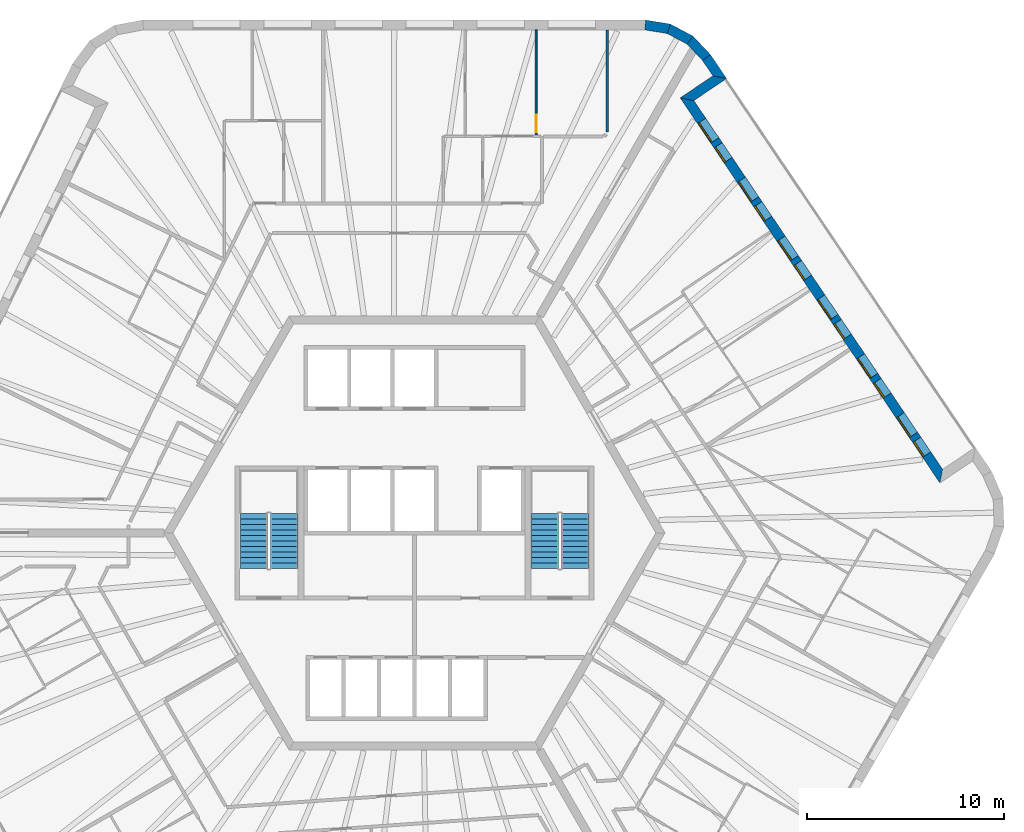
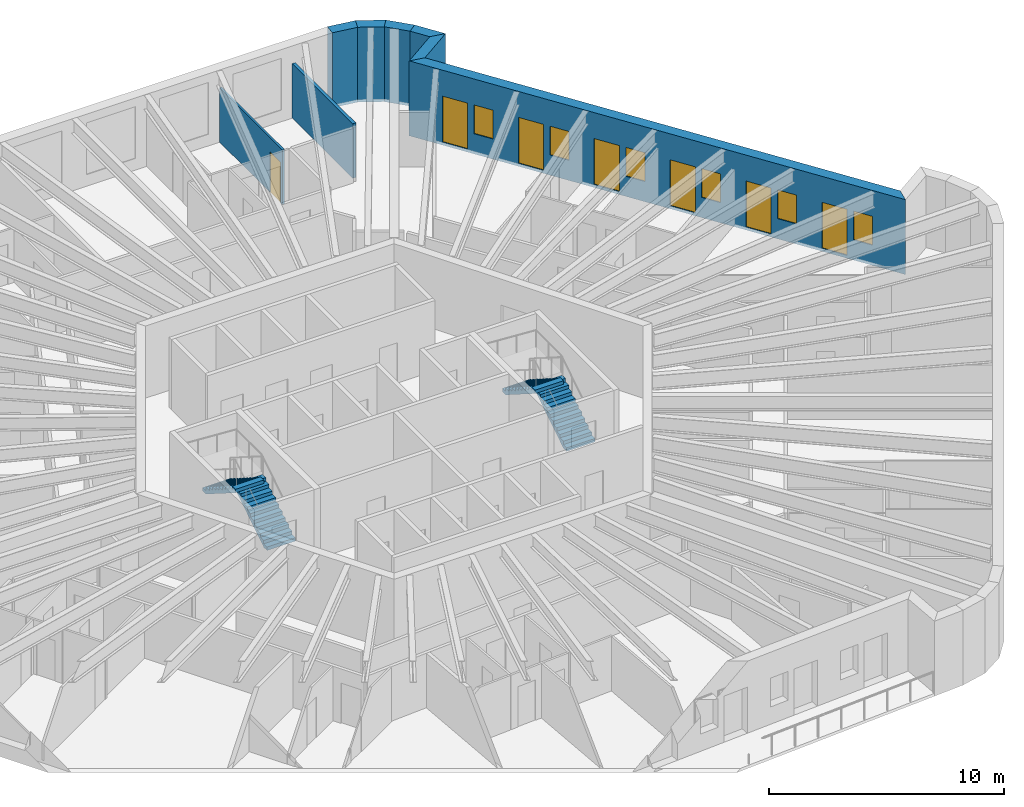
# One storey, part 11 of 12: 8 walls, 7 doors, 6 windows, 4 stair flights, 13 openings, 2 elements without a shape of their own.
"""IFC4 building model written with IfcOpenShell, lengths in metres."""

from ifc_helpers import new_model, si_unit, direction, frame, frame_2d, origin, place, context, subcontext, project, spatial, polyline, rectangle, outline, extrude, material, layer, layer_set, type_object, element, fill, aggregate, save


model = new_model("IFC4")

# Units and contexts
model_context = context("Model", 3, precision=1e-05, world=origin(), true_north=direction((0.0, 1.0)))
body_context = subcontext(model_context, "Body", "Model", "MODEL_VIEW")
ifc_project = project(units=[si_unit("LENGTHUNIT", "METRE"), si_unit("AREAUNIT", "SQUARE_METRE"), si_unit("VOLUMEUNIT", "CUBIC_METRE"), si_unit("PLANEANGLEUNIT", "RADIAN"), si_unit("MASSUNIT", "GRAM", prefix="KILO")], contexts=[model_context])

# Site, building, storey
site_placement = place(None, origin())
site = spatial("IfcSite", under=ifc_project, at=site_placement, CompositionType="ELEMENT")
building_placement = place(site_placement, origin())
building = spatial("IfcBuilding", under=site, at=building_placement, Name="Tarnside Tower", CompositionType="ELEMENT")
storey_placement = place(building_placement, frame((0.0, 0.0, 330.300048828125)))
storey = spatial("IfcBuildingStorey", under=building, at=storey_placement, Name="L80", CompositionType="ELEMENT", Elevation=330.300048828125)

# Wall
ifc_material_1 = material(Name="Gypsum board partition on steel studs", Category="steel")
ifc_layer_1 = layer(ifc_material_1, 0.14990234375)
ifc_layer_set_1 = layer_set([ifc_layer_1], Name="Corridor wall 150 EI 60")
wall_type_1 = type_object("IfcWallType", Name="Corridor wall 150 EI 60", PredefinedType="PARTITIONING", material=ifc_layer_set_1)
wall_1_placement = place(storey_placement, frame((9.775146484375, 25.5, 0.0), z_axis=(0.0, 0.0, 1.0), x_axis=(0.0, -1.0, 0.0)))
element("IfcWall", 1, at=wall_1_placement, inside=storey, type_object=wall_type_1, Name="Corridor wall 26005", PredefinedType="PARTITIONING", context=body_context, shape_type="SweptSolid", body=[
    extrude(rectangle(XDim=5.1689453125, YDim=0.14990234375, at=frame_2d((2.58447265625, 0.0))), origin(), (0.0, 0.0, 1.0), 2.837646484375),
])

# Wall, openings, doors, windows
ifc_material_2 = material(Name="Dark zinc cladding")
ifc_layer_2 = layer(ifc_material_2, 0.10205078125)
ifc_material_3 = material(Name="Concrete C60/75 precast", Category="concrete")
ifc_layer_3 = layer(ifc_material_3, 0.298095703125)
ifc_material_4 = material(Name="Mineral wool insulation")
ifc_layer_4 = layer(ifc_material_4, 0.10009765625)
ifc_layer_set_2 = layer_set([ifc_layer_2, ifc_layer_3, ifc_layer_4], Name="Loggia wall 500 zinc faced")
wall_type_2 = type_object("IfcWallType", Name="Loggia wall 500 zinc faced", PredefinedType="SOLIDWALL", material=ifc_layer_set_2)
wall_2_placement = place(storey_placement, frame((26.705810546875, 2.87890625, -0.150146484375), z_axis=(0.0, 0.0, 1.0), x_axis=(-0.559197891507, 0.829034208061, 0.0)))
wall_2 = element("IfcWall", 2, at=wall_2_placement, inside=storey, type_object=wall_type_2, Name="Tube wall L80 F6 back 30", PredefinedType="SOLIDWALL", context=body_context, shape_type="SweptSolid", body=[
    extrude(outline(polyline([(0.25, -0.25), (22.794677734375, -0.25), (23.294677734375, 0.25), (-0.25, 0.25), (0.25, -0.25)])), origin(), (0.0, 0.0, 1.0), 3.900146484375),
])
opening_1_placement = place(wall_2_placement, frame((1.322509765625, 0.0, 1.050048828125)))
opening_1 = element("IfcOpeningElement", 3, at=opening_1_placement, cuts=wall_2, Name="Opening WL500", PredefinedType="OPENING", context=body_context, shape_type="SweptSolid", body=[
    extrude(rectangle(XDim=0.89990234375, YDim=1.5, at=frame_2d((0.449951171875, 0.75))), frame((0.0, 0.260009765625, 0.0), z_axis=(0.0, -1.0, 0.0), x_axis=(1.0, 0.0, 0.0)), (0.0, 0.0, 1.0), 0.52001953125),
])
opening_2_placement = place(wall_2_placement, frame((2.5224609375, 0.0, 0.14990234375)))
opening_2 = element("IfcOpeningElement", 4, at=opening_2_placement, cuts=wall_2, Name="Opening DB500", PredefinedType="OPENING", context=body_context, shape_type="SweptSolid", body=[
    extrude(rectangle(XDim=1.199951171875, YDim=2.39990234375, at=frame_2d((0.60009765625, 1.199951171875))), frame((0.0, 0.260009765625, 0.0), z_axis=(0.0, -1.0, 0.0), x_axis=(1.0, 0.0, 0.0)), (0.0, 0.0, 1.0), 0.52001953125),
])
opening_3_placement = place(wall_2_placement, frame((4.92236328125, 0.0, 1.050048828125)))
opening_3 = element("IfcOpeningElement", 5, at=opening_3_placement, cuts=wall_2, Name="Opening WL500", PredefinedType="OPENING", context=body_context, shape_type="SweptSolid", body=[
    extrude(rectangle(XDim=0.89990234375, YDim=1.5, at=frame_2d((0.449951171875, 0.75))), frame((0.0, 0.260009765625, 0.0), z_axis=(0.0, -1.0, 0.0), x_axis=(1.0, 0.0, 0.0)), (0.0, 0.0, 1.0), 0.52001953125),
])
opening_4_placement = place(wall_2_placement, frame((6.122314453125, 0.0, 0.14990234375)))
opening_4 = element("IfcOpeningElement", 6, at=opening_4_placement, cuts=wall_2, Name="Opening DB500", PredefinedType="OPENING", context=body_context, shape_type="SweptSolid", body=[
    extrude(rectangle(XDim=1.199951171875, YDim=2.39990234375, at=frame_2d((0.60009765625, 1.199951171875))), frame((0.0, 0.260009765625, 0.0), z_axis=(0.0, -1.0, 0.0), x_axis=(1.0, 0.0, 0.0)), (0.0, 0.0, 1.0), 0.52001953125),
])
opening_5_placement = place(wall_2_placement, frame((8.5224609375, 0.0, 1.050048828125)))
opening_5 = element("IfcOpeningElement", 7, at=opening_5_placement, cuts=wall_2, Name="Opening WL500", PredefinedType="OPENING", context=body_context, shape_type="SweptSolid", body=[
    extrude(rectangle(XDim=0.89990234375, YDim=1.5, at=frame_2d((0.449951171875, 0.75))), frame((0.0, 0.260009765625, 0.0), z_axis=(0.0, -1.0, 0.0), x_axis=(1.0, 0.0, 0.0)), (0.0, 0.0, 1.0), 0.52001953125),
])
opening_6_placement = place(wall_2_placement, frame((9.722412109375, 0.0, 0.14990234375)))
opening_6 = element("IfcOpeningElement", 8, at=opening_6_placement, cuts=wall_2, Name="Opening DB500", PredefinedType="OPENING", context=body_context, shape_type="SweptSolid", body=[
    extrude(rectangle(XDim=1.199951171875, YDim=2.39990234375, at=frame_2d((0.60009765625, 1.199951171875))), frame((0.0, 0.260009765625, 0.0), z_axis=(0.0, -1.0, 0.0), x_axis=(1.0, 0.0, 0.0)), (0.0, 0.0, 1.0), 0.52001953125),
])
opening_7_placement = place(wall_2_placement, frame((12.122314453125, 0.0, 1.050048828125)))
opening_7 = element("IfcOpeningElement", 9, at=opening_7_placement, cuts=wall_2, Name="Opening WL500", PredefinedType="OPENING", context=body_context, shape_type="SweptSolid", body=[
    extrude(rectangle(XDim=0.89990234375, YDim=1.5, at=frame_2d((0.449951171875, 0.75))), frame((0.0, 0.260009765625, 0.0), z_axis=(0.0, -1.0, 0.0), x_axis=(1.0, 0.0, 0.0)), (0.0, 0.0, 1.0), 0.52001953125),
])
opening_8_placement = place(wall_2_placement, frame((13.322509765625, 0.0, 0.14990234375)))
opening_8 = element("IfcOpeningElement", 10, at=opening_8_placement, cuts=wall_2, Name="Opening DB500", PredefinedType="OPENING", context=body_context, shape_type="SweptSolid", body=[
    extrude(rectangle(XDim=1.199951171875, YDim=2.39990234375, at=frame_2d((0.60009765625, 1.199951171875))), frame((0.0, 0.260009765625, 0.0), z_axis=(0.0, -1.0, 0.0), x_axis=(1.0, 0.0, 0.0)), (0.0, 0.0, 1.0), 0.52001953125),
])
opening_9_placement = place(wall_2_placement, frame((15.722412109375, 0.0, 1.050048828125)))
opening_9 = element("IfcOpeningElement", 11, at=opening_9_placement, cuts=wall_2, Name="Opening WL500", PredefinedType="OPENING", context=body_context, shape_type="SweptSolid", body=[
    extrude(rectangle(XDim=0.89990234375, YDim=1.5, at=frame_2d((0.449951171875, 0.75))), frame((0.0, 0.260009765625, 0.0), z_axis=(0.0, -1.0, 0.0), x_axis=(1.0, 0.0, 0.0)), (0.0, 0.0, 1.0), 0.52001953125),
])
opening_10_placement = place(wall_2_placement, frame((16.92236328125, 0.0, 0.14990234375)))
opening_10 = element("IfcOpeningElement", 12, at=opening_10_placement, cuts=wall_2, Name="Opening DB500", PredefinedType="OPENING", context=body_context, shape_type="SweptSolid", body=[
    extrude(rectangle(XDim=1.199951171875, YDim=2.39990234375, at=frame_2d((0.60009765625, 1.199951171875))), frame((0.0, 0.260009765625, 0.0), z_axis=(0.0, -1.0, 0.0), x_axis=(1.0, 0.0, 0.0)), (0.0, 0.0, 1.0), 0.52001953125),
])
opening_11_placement = place(wall_2_placement, frame((19.322509765625, 0.0, 1.050048828125)))
opening_11 = element("IfcOpeningElement", 13, at=opening_11_placement, cuts=wall_2, Name="Opening WL500", PredefinedType="OPENING", context=body_context, shape_type="SweptSolid", body=[
    extrude(rectangle(XDim=0.89990234375, YDim=1.5, at=frame_2d((0.449951171875, 0.75))), frame((0.0, 0.260009765625, 0.0), z_axis=(0.0, -1.0, 0.0), x_axis=(1.0, 0.0, 0.0)), (0.0, 0.0, 1.0), 0.52001953125),
])
opening_12_placement = place(wall_2_placement, frame((20.5224609375, 0.0, 0.14990234375)))
opening_12 = element("IfcOpeningElement", 14, at=opening_12_placement, cuts=wall_2, Name="Opening DB500", PredefinedType="OPENING", context=body_context, shape_type="SweptSolid", body=[
    extrude(rectangle(XDim=1.199951171875, YDim=2.39990234375, at=frame_2d((0.60009765625, 1.199951171875))), frame((0.0, 0.260009765625, 0.0), z_axis=(0.0, -1.0, 0.0), x_axis=(1.0, 0.0, 0.0)), (0.0, 0.0, 1.0), 0.52001953125),
])
ifc_material_5 = material(Name="Aluminium-framed double glazing", Category="aluminium")
door_type_1 = type_object("IfcDoorType", Name="Balcony sliding door 1200 x 2400 in 500 wall", OperationType="SLIDING_TO_LEFT", PredefinedType="DOOR", material=ifc_material_5)
door_1_placement = place(opening_2_placement, frame((0.0, 0.1748046875, 0.0)))
door_1 = element("IfcDoor", 15, at=door_1_placement, inside=storey, type_object=door_type_1, Name="E.BD.L80.F6.00", OperationType="SLIDING_TO_LEFT", OverallHeight=2.39990234375, OverallWidth=1.199951171875, PredefinedType="DOOR", context=body_context, shape_type="SweptSolid", body=[
    extrude(rectangle(XDim=1.199951171875, YDim=2.39990234375, at=frame_2d((0.60009765625, 1.199951171875))), frame((0.0, 0.02490234375, 0.0), z_axis=(0.0, -1.0, 0.0), x_axis=(1.0, 0.0, 0.0)), (0.0, 0.0, 1.0), 0.050048828125),
])
fill(opening_2, door_1)
door_2_placement = place(opening_4_placement, frame((0.0, 0.1748046875, 0.0)))
door_2 = element("IfcDoor", 16, at=door_2_placement, inside=storey, type_object=door_type_1, Name="E.BD.L80.F6.01", OperationType="SLIDING_TO_LEFT", OverallHeight=2.39990234375, OverallWidth=1.199951171875, PredefinedType="DOOR", context=body_context, shape_type="SweptSolid", body=[
    extrude(rectangle(XDim=1.199951171875, YDim=2.39990234375, at=frame_2d((0.60009765625, 1.199951171875))), frame((0.0, 0.02490234375, 0.0), z_axis=(0.0, -1.0, 0.0), x_axis=(1.0, 0.0, 0.0)), (0.0, 0.0, 1.0), 0.050048828125),
])
fill(opening_4, door_2)
door_3_placement = place(opening_6_placement, frame((0.0, 0.1748046875, 0.0)))
door_3 = element("IfcDoor", 17, at=door_3_placement, inside=storey, type_object=door_type_1, Name="E.BD.L80.F6.02", OperationType="SLIDING_TO_LEFT", OverallHeight=2.39990234375, OverallWidth=1.199951171875, PredefinedType="DOOR", context=body_context, shape_type="SweptSolid", body=[
    extrude(rectangle(XDim=1.199951171875, YDim=2.39990234375, at=frame_2d((0.60009765625, 1.199951171875))), frame((0.0, 0.02490234375, 0.0), z_axis=(0.0, -1.0, 0.0), x_axis=(1.0, 0.0, 0.0)), (0.0, 0.0, 1.0), 0.050048828125),
])
fill(opening_6, door_3)
door_4_placement = place(opening_8_placement, frame((0.0, 0.1748046875, 0.0)))
door_4 = element("IfcDoor", 18, at=door_4_placement, inside=storey, type_object=door_type_1, Name="E.BD.L80.F6.03", OperationType="SLIDING_TO_LEFT", OverallHeight=2.39990234375, OverallWidth=1.199951171875, PredefinedType="DOOR", context=body_context, shape_type="SweptSolid", body=[
    extrude(rectangle(XDim=1.199951171875, YDim=2.39990234375, at=frame_2d((0.60009765625, 1.199951171875))), frame((0.0, 0.02490234375, 0.0), z_axis=(0.0, -1.0, 0.0), x_axis=(1.0, 0.0, 0.0)), (0.0, 0.0, 1.0), 0.050048828125),
])
fill(opening_8, door_4)
door_5_placement = place(opening_10_placement, frame((0.0, 0.1748046875, 0.0)))
door_5 = element("IfcDoor", 19, at=door_5_placement, inside=storey, type_object=door_type_1, Name="E.BD.L80.F6.04", OperationType="SLIDING_TO_LEFT", OverallHeight=2.39990234375, OverallWidth=1.199951171875, PredefinedType="DOOR", context=body_context, shape_type="SweptSolid", body=[
    extrude(rectangle(XDim=1.199951171875, YDim=2.39990234375, at=frame_2d((0.60009765625, 1.199951171875))), frame((0.0, 0.02490234375, 0.0), z_axis=(0.0, -1.0, 0.0), x_axis=(1.0, 0.0, 0.0)), (0.0, 0.0, 1.0), 0.050048828125),
])
fill(opening_10, door_5)
door_6_placement = place(opening_12_placement, frame((0.0, 0.1748046875, 0.0)))
door_6 = element("IfcDoor", 20, at=door_6_placement, inside=storey, type_object=door_type_1, Name="E.BD.L80.F6.05", OperationType="SLIDING_TO_LEFT", OverallHeight=2.39990234375, OverallWidth=1.199951171875, PredefinedType="DOOR", context=body_context, shape_type="SweptSolid", body=[
    extrude(rectangle(XDim=1.199951171875, YDim=2.39990234375, at=frame_2d((0.60009765625, 1.199951171875))), frame((0.0, 0.02490234375, 0.0), z_axis=(0.0, -1.0, 0.0), x_axis=(1.0, 0.0, 0.0)), (0.0, 0.0, 1.0), 0.050048828125),
])
fill(opening_12, door_6)
window_type = type_object("IfcWindowType", Name="Loggia window 900 x 1500 in 500 wall", PartitioningType="SINGLE_PANEL", PredefinedType="WINDOW", material=ifc_material_5)
window_1_placement = place(opening_1_placement, frame((0.0, 0.179931640625, 0.0)))
window_1 = element("IfcWindow", 21, at=window_1_placement, inside=storey, type_object=window_type, Name="E.LW.L80.F6.00", OverallHeight=1.5, OverallWidth=0.89990234375, PartitioningType="SINGLE_PANEL", PredefinedType="WINDOW", context=body_context, shape_type="SweptSolid", body=[
    extrude(rectangle(XDim=0.89990234375, YDim=1.5, at=frame_2d((0.449951171875, 0.75))), frame((0.0, 0.030029296875, 0.0), z_axis=(0.0, -1.0, 0.0), x_axis=(1.0, 0.0, 0.0)), (0.0, 0.0, 1.0), 0.06005859375),
])
fill(opening_1, window_1)
window_2_placement = place(opening_3_placement, frame((0.0, 0.179931640625, 0.0)))
window_2 = element("IfcWindow", 22, at=window_2_placement, inside=storey, type_object=window_type, Name="E.LW.L80.F6.01", OverallHeight=1.5, OverallWidth=0.89990234375, PartitioningType="SINGLE_PANEL", PredefinedType="WINDOW", context=body_context, shape_type="SweptSolid", body=[
    extrude(rectangle(XDim=0.89990234375, YDim=1.5, at=frame_2d((0.449951171875, 0.75))), frame((0.0, 0.030029296875, 0.0), z_axis=(0.0, -1.0, 0.0), x_axis=(1.0, 0.0, 0.0)), (0.0, 0.0, 1.0), 0.06005859375),
])
fill(opening_3, window_2)
window_3_placement = place(opening_5_placement, frame((0.0, 0.179931640625, 0.0)))
window_3 = element("IfcWindow", 23, at=window_3_placement, inside=storey, type_object=window_type, Name="E.LW.L80.F6.02", OverallHeight=1.5, OverallWidth=0.89990234375, PartitioningType="SINGLE_PANEL", PredefinedType="WINDOW", context=body_context, shape_type="SweptSolid", body=[
    extrude(rectangle(XDim=0.89990234375, YDim=1.5, at=frame_2d((0.449951171875, 0.75))), frame((0.0, 0.030029296875, 0.0), z_axis=(0.0, -1.0, 0.0), x_axis=(1.0, 0.0, 0.0)), (0.0, 0.0, 1.0), 0.06005859375),
])
fill(opening_5, window_3)
window_4_placement = place(opening_7_placement, frame((0.0, 0.179931640625, 0.0)))
window_4 = element("IfcWindow", 24, at=window_4_placement, inside=storey, type_object=window_type, Name="E.LW.L80.F6.03", OverallHeight=1.5, OverallWidth=0.89990234375, PartitioningType="SINGLE_PANEL", PredefinedType="WINDOW", context=body_context, shape_type="SweptSolid", body=[
    extrude(rectangle(XDim=0.89990234375, YDim=1.5, at=frame_2d((0.449951171875, 0.75))), frame((0.0, 0.030029296875, 0.0), z_axis=(0.0, -1.0, 0.0), x_axis=(1.0, 0.0, 0.0)), (0.0, 0.0, 1.0), 0.06005859375),
])
fill(opening_7, window_4)
window_5_placement = place(opening_9_placement, frame((0.0, 0.179931640625, 0.0)))
window_5 = element("IfcWindow", 25, at=window_5_placement, inside=storey, type_object=window_type, Name="E.LW.L80.F6.04", OverallHeight=1.5, OverallWidth=0.89990234375, PartitioningType="SINGLE_PANEL", PredefinedType="WINDOW", context=body_context, shape_type="SweptSolid", body=[
    extrude(rectangle(XDim=0.89990234375, YDim=1.5, at=frame_2d((0.449951171875, 0.75))), frame((0.0, 0.030029296875, 0.0), z_axis=(0.0, -1.0, 0.0), x_axis=(1.0, 0.0, 0.0)), (0.0, 0.0, 1.0), 0.06005859375),
])
fill(opening_9, window_5)
window_6_placement = place(opening_11_placement, frame((0.0, 0.179931640625, 0.0)))
window_6 = element("IfcWindow", 26, at=window_6_placement, inside=storey, type_object=window_type, Name="E.LW.L80.F6.05", OverallHeight=1.5, OverallWidth=0.89990234375, PartitioningType="SINGLE_PANEL", PredefinedType="WINDOW", context=body_context, shape_type="SweptSolid", body=[
    extrude(rectangle(XDim=0.89990234375, YDim=1.5, at=frame_2d((0.449951171875, 0.75))), frame((0.0, 0.030029296875, 0.0), z_axis=(0.0, -1.0, 0.0), x_axis=(1.0, 0.0, 0.0)), (0.0, 0.0, 1.0), 0.06005859375),
])
fill(opening_11, window_6)

# Walls
wall_3_placement = place(storey_placement, frame((13.8193359375, 21.983642578125, -0.150146484375), z_axis=(0.0, 0.0, 1.0), x_axis=(0.829052389485, 0.559170935841, 0.0)))
element("IfcWall", 27, at=wall_3_placement, inside=storey, type_object=wall_type_2, Name="Tube wall L80 F6 return 31", PredefinedType="SOLIDWALL", context=body_context, shape_type="SweptSolid", body=[
    extrude(outline(polyline([(0.25, -0.25), (2.25, -0.25), (1.75, 0.25), (-0.25, 0.25), (0.25, -0.25)])), origin(), (0.0, 0.0, 1.0), 3.900146484375),
])
wall_4_placement = place(storey_placement, frame((15.4775390625, 23.10205078125, -0.150146484375), z_axis=(0.0, 0.0, 1.0), x_axis=(-0.559245726333, 0.829001940636, 0.0)))
element("IfcWall", 28, at=wall_4_placement, inside=storey, type_object=wall_type_2, Name="Tube wall L80 F6 stub 32", PredefinedType="SOLIDWALL", context=body_context, shape_type="SweptSolid", body=[
    extrude(outline(polyline([(-0.25, -0.25), (1.220703125, -0.25), (1.1796875, 0.25), (0.25, 0.25), (-0.25, -0.25)])), origin(), (0.0, 0.0, 1.0), 3.900146484375),
])

# Wall, opening, door
ifc_layer_5 = layer(ifc_material_1, 0.10009765625)
ifc_layer_set_3 = layer_set([ifc_layer_5], Name="Partition 100")
wall_type_3 = type_object("IfcWallType", Name="Partition 100", PredefinedType="PARTITIONING", material=ifc_layer_set_3)
wall_5_placement = place(storey_placement, frame((6.17529296875, 25.5, 0.0), z_axis=(0.0, 0.0, 1.0), x_axis=(0.0, -1.0, 0.0)))
wall_5 = element("IfcWall", 29, at=wall_5_placement, inside=storey, type_object=wall_type_3, Name="Partition wall 26093", PredefinedType="PARTITIONING", context=body_context, shape_type="SweptSolid", body=[
    extrude(rectangle(XDim=5.35009765625, YDim=0.10009765625, at=frame_2d((2.675048828125, 0.0))), origin(), (0.0, 0.0, 1.0), 2.837646484375),
])
opening_13_placement = place(wall_5_placement, frame((4.300048828125, 0.0, 0.0)))
opening_13 = element("IfcOpeningElement", 30, at=opening_13_placement, cuts=wall_5, Name="Opening D-I1", PredefinedType="OPENING", context=body_context, shape_type="SweptSolid", body=[
    extrude(rectangle(XDim=0.89990234375, YDim=2.10009765625, at=frame_2d((0.449951171875, 1.050048828125))), frame((0.0, 0.06005859375, 0.0), z_axis=(0.0, -1.0, 0.0), x_axis=(1.0, 0.0, 0.0)), (0.0, 0.0, 1.0), 0.1201171875),
])
ifc_material_6 = material(Name="Timber door leaf", Category="wood")
door_type_2 = type_object("IfcDoorType", Name="Internal door 900", OperationType="NOTDEFINED", PredefinedType="DOOR", material=ifc_material_6)
door_7_placement = place(opening_13_placement, origin())
door_7 = element("IfcDoor", 31, at=door_7_placement, inside=storey, type_object=door_type_2, Name="Internal door 26008", OperationType="SINGLE_SWING_RIGHT", OverallHeight=2.10009765625, OverallWidth=0.89990234375, PredefinedType="DOOR", context=body_context, shape_type="SweptSolid", body=[
    extrude(rectangle(XDim=0.89990234375, YDim=2.10009765625, at=frame_2d((0.449951171875, 1.050048828125))), frame((0.0, 0.02490234375, 0.0), z_axis=(0.0, -1.0, 0.0), x_axis=(1.0, 0.0, 0.0)), (0.0, 0.0, 1.0), 0.050048828125),
])
fill(opening_13, door_7)

# Walls
ifc_material_7 = material(Name="Facing brick", Category="masonry")
ifc_layer_6 = layer(ifc_material_7, 0.10205078125)
ifc_layer_7 = layer(ifc_material_3, 0.298095703125)
ifc_layer_8 = layer(ifc_material_4, 0.10009765625)
ifc_layer_set_4 = layer_set([ifc_layer_6, ifc_layer_7, ifc_layer_8], Name="Tube wall 500 brick faced")
wall_type_4 = type_object("IfcWallType", Name="Tube wall 500 brick faced", PredefinedType="SOLIDWALL", material=ifc_layer_set_4)
wall_6_placement = place(storey_placement, frame((14.806396484375, 24.096923828125, -0.150146484375), z_axis=(0.0, 0.0, 1.0), x_axis=(-0.686234452793, 0.727380420275, 0.0)))
element("IfcWall", 32, at=wall_6_placement, inside=storey, type_object=wall_type_4, Name="Tube wall L80 F6 chord 33", PredefinedType="SOLIDWALL", context=body_context, shape_type="SweptSolid", body=[
    extrude(outline(polyline([(-0.0205078125, -0.25), (1.25732421875, -0.25), (1.17529296875, 0.25), (0.0205078125, 0.25), (-0.0205078125, -0.25)])), origin(), (0.0, 0.0, 1.0), 3.900146484375),
])
wall_7_placement = place(storey_placement, frame((13.9716796875, 24.981689453125, -0.150146484375), z_axis=(0.0, 0.0, 1.0), x_axis=(-0.882902492938, 0.469556373575, 0.0)))
element("IfcWall", 33, at=wall_7_placement, inside=storey, type_object=wall_type_4, Name="Tube wall L80 F6 chord 34", PredefinedType="SOLIDWALL", context=body_context, shape_type="SweptSolid", body=[
    extrude(outline(polyline([(-0.041015625, -0.25), (1.257080078125, -0.25), (1.175048828125, 0.25), (0.041015625, 0.25), (-0.041015625, -0.25)])), origin(), (0.0, 0.0, 1.0), 3.900146484375),
])
wall_8_placement = place(storey_placement, frame((12.89794921875, 25.552734375, -0.150146484375), z_axis=(0.0, 0.0, 1.0), x_axis=(-0.986765617372, 0.16215306464, 0.0)))
element("IfcWall", 34, at=wall_8_placement, inside=storey, type_object=wall_type_4, Name="Tube wall L80 F6 chord 35", PredefinedType="SOLIDWALL", context=body_context, shape_type="SweptSolid", body=[
    extrude(outline(polyline([(-0.041015625, -0.25), (1.237060546875, -0.25), (1.196044921875, 0.25), (0.041015625, 0.25), (-0.041015625, -0.25)])), origin(), (0.0, 0.0, 1.0), 3.900146484375),
])

# Stair, stair flights
ifc_material_8 = material(Name="Concrete C40/50", Category="concrete")
stair_type = type_object("IfcStairType", Name="Exit stair 1400 clear", PredefinedType="HALF_TURN_STAIR", material=ifc_material_8)
stair_1_placement = place(storey_placement, origin())
stair_1 = element("IfcStair", 35, at=stair_1_placement, inside=storey, type_object=stair_type, Name="L80 Exit stair 1", PredefinedType="HALF_TURN_STAIR")
stair_flight_type = type_object("IfcStairFlightType", Name="Exit stair flight 1400", PredefinedType="STRAIGHT", material=ifc_material_8)
stair_flight_1_placement = place(storey_placement, frame((8.14990234375, -1.800048828125, 0.0), z_axis=(0.0, 0.0, 1.0), x_axis=(0.0, 1.0, 0.0)))
stair_flight_1 = element("IfcStairFlight", 36, at=stair_flight_1_placement, type_object=stair_flight_type, Name="ST1 flight 1", NumberOfRisers=11, NumberOfTreads=10, PredefinedType="STRAIGHT", RiserHeight=0.177272727, TreadLength=0.28, context=body_context, shape_type="SweptSolid", body=[
    extrude(outline(polyline([(0.0, 0.0), (0.0, 0.17724609375), (0.280029296875, 0.17724609375), (0.280029296875, 0.3544921875), (0.56005859375, 0.3544921875), (0.56005859375, 0.53173828125), (0.840087890625, 0.53173828125), (0.840087890625, 0.708984375), (1.1201171875, 0.708984375), (1.1201171875, 0.886474609375), (1.39990234375, 0.886474609375), (1.39990234375, 1.063720703125), (1.679931640625, 1.063720703125), (1.679931640625, 1.240966796875), (1.9599609375, 1.240966796875), (1.9599609375, 1.418212890625), (2.239990234375, 1.418212890625), (2.239990234375, 1.595458984375), (2.52001953125, 1.595458984375), (2.52001953125, 1.772705078125), (2.800048828125, 1.772705078125), (2.800048828125, 1.949951171875), (2.800048828125, 1.59521484375), (0.2802734375, 0.0), (0.0, 0.0)])), frame((0.0, 0.699951171875, 0.0), z_axis=(0.0, -1.0, 0.0), x_axis=(1.0, 0.0, 0.0)), (0.0, 0.0, 1.0), 1.39990234375),
])
stair_flight_2_placement = place(storey_placement, frame((6.60009765625, 1.0, 1.949951171875), z_axis=(0.0, 0.0, 1.0), x_axis=(0.0, -1.0, 0.0)))
stair_flight_2 = element("IfcStairFlight", 37, at=stair_flight_2_placement, type_object=stair_flight_type, Name="ST1 flight 2", NumberOfRisers=11, NumberOfTreads=10, PredefinedType="STRAIGHT", RiserHeight=0.177272727, TreadLength=0.28, context=body_context, shape_type="SweptSolid", body=[
    extrude(outline(polyline([(0.0, 0.0), (0.0, 0.17724609375), (0.280029296875, 0.17724609375), (0.280029296875, 0.3544921875), (0.56005859375, 0.3544921875), (0.56005859375, 0.53173828125), (0.840087890625, 0.53173828125), (0.840087890625, 0.708984375), (1.1201171875, 0.708984375), (1.1201171875, 0.886474609375), (1.39990234375, 0.886474609375), (1.39990234375, 1.063720703125), (1.679931640625, 1.063720703125), (1.679931640625, 1.240966796875), (1.9599609375, 1.240966796875), (1.9599609375, 1.418212890625), (2.239990234375, 1.418212890625), (2.239990234375, 1.595458984375), (2.52001953125, 1.595458984375), (2.52001953125, 1.772705078125), (2.800048828125, 1.772705078125), (2.800048828125, 1.949951171875), (2.800048828125, 1.59521484375), (0.2802734375, 0.0), (0.0, 0.0)])), frame((0.0, 0.699951171875, 0.0), z_axis=(0.0, -1.0, 0.0), x_axis=(1.0, 0.0, 0.0)), (0.0, 0.0, 1.0), 1.39990234375),
])
aggregate(stair_1, [stair_flight_1, stair_flight_2])

stair_2_placement = place(storey_placement, origin())
stair_2 = element("IfcStair", 38, at=stair_2_placement, inside=storey, type_object=stair_type, Name="L80 Exit stair 2", PredefinedType="HALF_TURN_STAIR")
stair_flight_3_placement = place(storey_placement, frame((-6.60009765625, -1.800048828125, 0.0), z_axis=(0.0, 0.0, 1.0), x_axis=(0.0, 1.0, 0.0)))
stair_flight_3 = element("IfcStairFlight", 39, at=stair_flight_3_placement, type_object=stair_flight_type, Name="ST2 flight 1", NumberOfRisers=11, NumberOfTreads=10, PredefinedType="STRAIGHT", RiserHeight=0.177272727, TreadLength=0.28, context=body_context, shape_type="SweptSolid", body=[
    extrude(outline(polyline([(0.0, 0.0), (0.0, 0.17724609375), (0.280029296875, 0.17724609375), (0.280029296875, 0.3544921875), (0.56005859375, 0.3544921875), (0.56005859375, 0.53173828125), (0.840087890625, 0.53173828125), (0.840087890625, 0.708984375), (1.1201171875, 0.708984375), (1.1201171875, 0.886474609375), (1.39990234375, 0.886474609375), (1.39990234375, 1.063720703125), (1.679931640625, 1.063720703125), (1.679931640625, 1.240966796875), (1.9599609375, 1.240966796875), (1.9599609375, 1.418212890625), (2.239990234375, 1.418212890625), (2.239990234375, 1.595458984375), (2.52001953125, 1.595458984375), (2.52001953125, 1.772705078125), (2.800048828125, 1.772705078125), (2.800048828125, 1.949951171875), (2.800048828125, 1.59521484375), (0.2802734375, 0.0), (0.0, 0.0)])), frame((0.0, 0.699951171875, 0.0), z_axis=(0.0, -1.0, 0.0), x_axis=(1.0, 0.0, 0.0)), (0.0, 0.0, 1.0), 1.39990234375),
])
stair_flight_4_placement = place(storey_placement, frame((-8.14990234375, 1.0, 1.949951171875), z_axis=(0.0, 0.0, 1.0), x_axis=(0.0, -1.0, 0.0)))
stair_flight_4 = element("IfcStairFlight", 40, at=stair_flight_4_placement, type_object=stair_flight_type, Name="ST2 flight 2", NumberOfRisers=11, NumberOfTreads=10, PredefinedType="STRAIGHT", RiserHeight=0.177272727, TreadLength=0.28, context=body_context, shape_type="SweptSolid", body=[
    extrude(outline(polyline([(0.0, 0.0), (0.0, 0.17724609375), (0.280029296875, 0.17724609375), (0.280029296875, 0.3544921875), (0.56005859375, 0.3544921875), (0.56005859375, 0.53173828125), (0.840087890625, 0.53173828125), (0.840087890625, 0.708984375), (1.1201171875, 0.708984375), (1.1201171875, 0.886474609375), (1.39990234375, 0.886474609375), (1.39990234375, 1.063720703125), (1.679931640625, 1.063720703125), (1.679931640625, 1.240966796875), (1.9599609375, 1.240966796875), (1.9599609375, 1.418212890625), (2.239990234375, 1.418212890625), (2.239990234375, 1.595458984375), (2.52001953125, 1.595458984375), (2.52001953125, 1.772705078125), (2.800048828125, 1.772705078125), (2.800048828125, 1.949951171875), (2.800048828125, 1.59521484375), (0.2802734375, 0.0), (0.0, 0.0)])), frame((0.0, 0.699951171875, 0.0), z_axis=(0.0, -1.0, 0.0), x_axis=(1.0, 0.0, 0.0)), (0.0, 0.0, 1.0), 1.39990234375),
])
aggregate(stair_2, [stair_flight_3, stair_flight_4])

save(model, "model.ifc")
